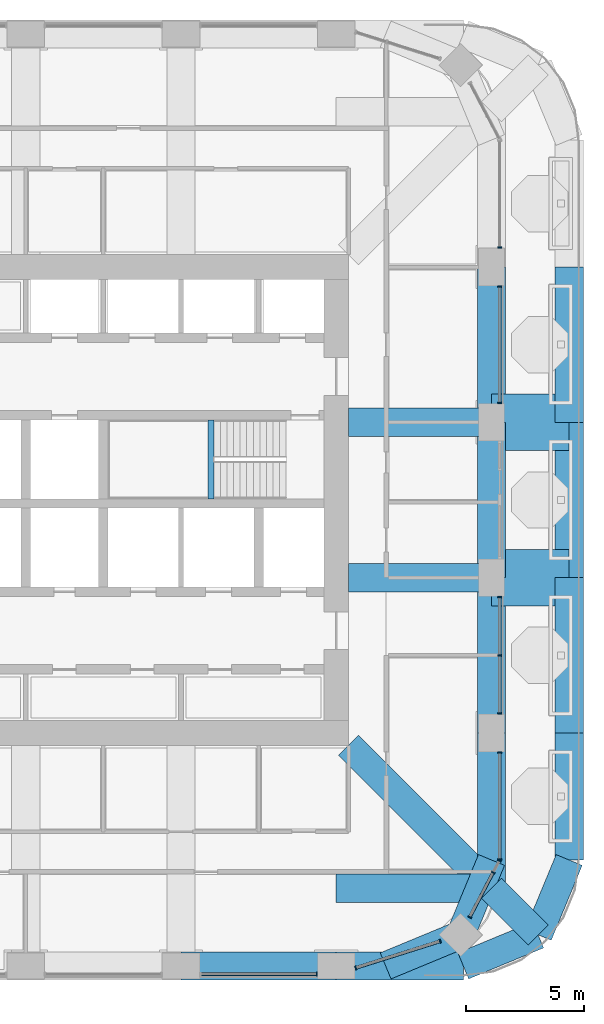
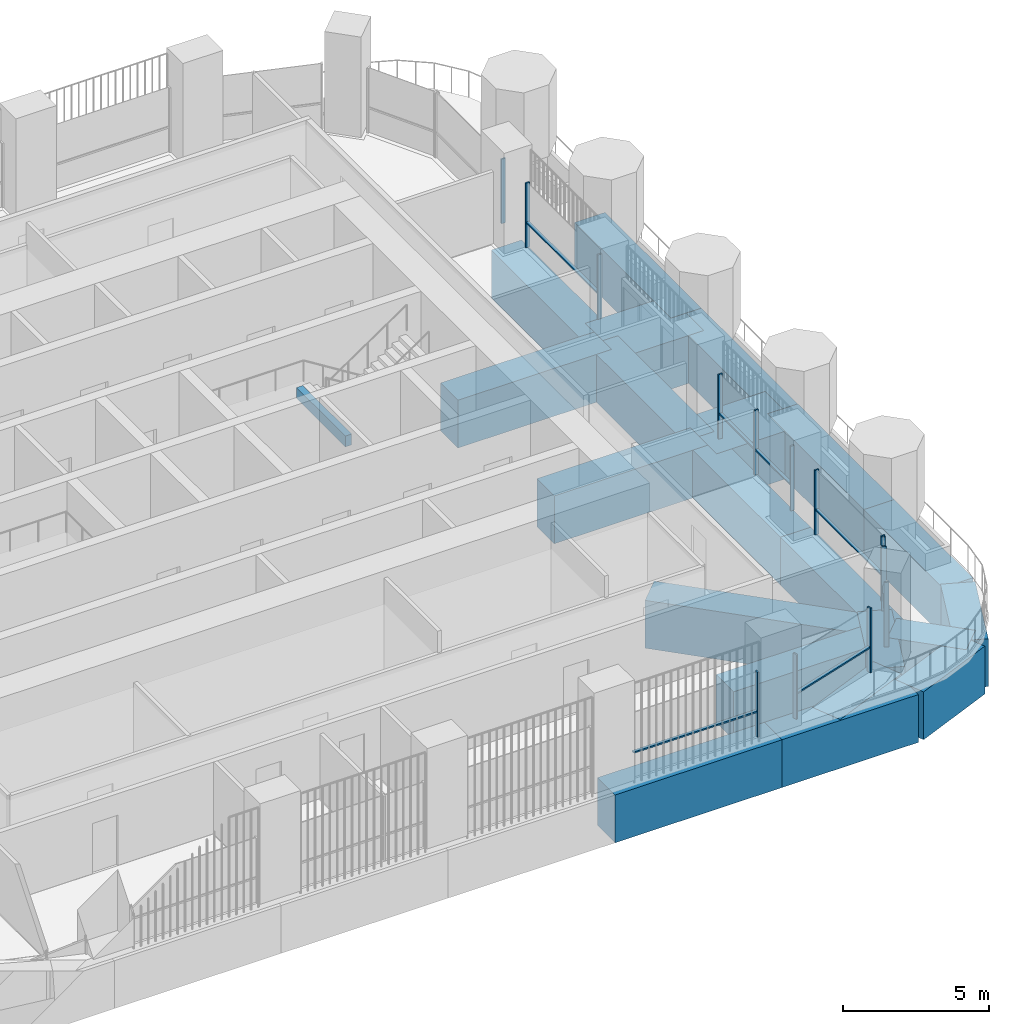
# One storey, part 5 of 24: 22 beams, 21 members, 7 elements without a shape of their own.
"""IFC4 building model written with IfcOpenShell, lengths in metres."""

from ifc_helpers import new_model, si_unit, direction, frame, origin, origin_2d, place, context, subcontext, project, spatial, rectangle, extrude, material, material_profile, profile_set, type_object, element, aggregate, save


model = new_model("IFC4")

# Units and contexts
model_context = context("Model", 3, precision=1e-05, world=origin(), true_north=direction((0.0, 1.0)))
body_context = subcontext(model_context, "Body", "Model", "MODEL_VIEW")
ifc_project = project(units=[si_unit("LENGTHUNIT", "METRE"), si_unit("AREAUNIT", "SQUARE_METRE"), si_unit("VOLUMEUNIT", "CUBIC_METRE"), si_unit("PLANEANGLEUNIT", "RADIAN"), si_unit("MASSUNIT", "GRAM", prefix="KILO")], contexts=[model_context])

# Site, building, storey
site_placement = place(None, origin())
site = spatial("IfcSite", under=ifc_project, at=site_placement, CompositionType="ELEMENT")
building_placement = place(site_placement, origin())
building = spatial("IfcBuilding", under=site, at=building_placement, Name="Cobogo Forest Laboratory Tower", CompositionType="ELEMENT")
storey_placement = place(building_placement, frame((0.0, 0.0, 229.199951171875)))
storey = spatial("IfcBuildingStorey", under=building, at=storey_placement, Name="L52", CompositionType="ELEMENT", Elevation=229.199951171875)

# Beam
ifc_material_1 = material(Name="Concrete HA-40 (C40/50)", Category="concrete")
ifc_material_profile_1 = material_profile(ifc_material_1, rectangle(XDim=0.25, YDim=0.449951171875, at=origin_2d()), Name="RC 250x450")
ifc_profile_set_1 = profile_set([ifc_material_profile_1], Name="Concrete HA-40 (C40/50)")
beam_type_1 = type_object("IfcBeamType", Name="LB1 landing beam 250x450", PredefinedType="BEAM", material=ifc_profile_set_1)
beam_1_placement = place(storey_placement, frame((34.27001953125, 23.14990234375, 1.675048828125), z_axis=(0.0, 1.0, 0.0), x_axis=(-1.0, 0.0, 0.0)))
element("IfcBeam", 1, at=beam_1_placement, inside=storey, type_object=beam_type_1, Name="Landing beam ST2 L52", PredefinedType="BEAM", context=body_context, shape_type="SweptSolid", body=[
    extrude(rectangle(XDim=0.25, YDim=0.449951171875, at=origin_2d()), origin(), (0.0, 0.0, 1.0), 3.35009765625),
])

# Curtain wall, member
ifc_material_2 = material(Name="Aluminium curtain wall", Category="aluminium")
curtain_wall_type = type_object("IfcCurtainWallType", Name="CW-2 unitised curtain wall, solar control glazing, laboratory floors zones C and D", PredefinedType="USERDEFINED", material=ifc_material_2)
curtain_wall_1_placement = place(storey_placement, origin())
curtain_wall_1 = element("IfcCurtainWall", 2, at=curtain_wall_1_placement, inside=storey, type_object=curtain_wall_type, Name="Curtain wall 04 L52", ObjectType="UNITISED CURTAIN WALL", PredefinedType="USERDEFINED")
ifc_material_3 = material(Name="Aluminium mullion", Category="aluminium")
ifc_material_profile_2 = material_profile(ifc_material_3, rectangle(XDim=0.06005859375, YDim=0.159912109375, at=origin_2d()), Name="AL 60x160")
ifc_profile_set_2 = profile_set([ifc_material_profile_2], Name="Aluminium mullion")
member_type_1 = type_object("IfcMemberType", Name="MU-1 aluminium mullion 60x160", PredefinedType="MULLION", material=ifc_profile_set_2)
member_1_placement = place(storey_placement, frame((38.77001953125, 2.949951171875, 0.0), z_axis=(0.0, 0.0, 1.0), x_axis=(1.0, 0.0, 0.0)))
member_1 = element("IfcMember", 3, at=member_1_placement, type_object=member_type_1, Name="CW-2 mullion 2", PredefinedType="MULLION", context=body_context, shape_type="SweptSolid", body=[
    extrude(rectangle(XDim=0.06005859375, YDim=0.159912109375, at=origin_2d()), origin(), (0.0, 0.0, 1.0), 2.699951171875),
])

# Curtain wall, members
curtain_wall_2_placement = place(storey_placement, origin())
curtain_wall_2 = element("IfcCurtainWall", 4, at=curtain_wall_2_placement, inside=storey, type_object=curtain_wall_type, Name="Curtain wall 05 L52", ObjectType="UNITISED CURTAIN WALL", PredefinedType="USERDEFINED")
member_2_placement = place(storey_placement, frame((40.4287109375, 3.211669921875, 0.0), z_axis=(0.0, 0.0, 1.0), x_axis=(0.953581351952, 0.301135526315, 0.0)))
member_2 = element("IfcMember", 5, at=member_2_placement, type_object=member_type_1, Name="CW-2 mullion 1", PredefinedType="MULLION", context=body_context, shape_type="SweptSolid", body=[
    extrude(rectangle(XDim=0.06005859375, YDim=0.159912109375, at=origin_2d()), origin(), (0.0, 0.0, 1.0), 2.699951171875),
])
member_3_placement = place(storey_placement, frame((44.01513671875, 4.34423828125, 0.0), z_axis=(0.0, 0.0, 1.0), x_axis=(0.953581351952, 0.301135526315, 0.0)))
member_3 = element("IfcMember", 6, at=member_3_placement, type_object=member_type_1, Name="CW-2 mullion 2", PredefinedType="MULLION", context=body_context, shape_type="SweptSolid", body=[
    extrude(rectangle(XDim=0.06005859375, YDim=0.159912109375, at=origin_2d()), origin(), (0.0, 0.0, 1.0), 2.699951171875),
])

curtain_wall_3_placement = place(storey_placement, origin())
curtain_wall_3 = element("IfcCurtainWall", 7, at=curtain_wall_3_placement, inside=storey, type_object=curtain_wall_type, Name="Curtain wall 06 L52", ObjectType="UNITISED CURTAIN WALL", PredefinedType="USERDEFINED")
member_4_placement = place(storey_placement, frame((45.275390625, 5.368408203125, 0.0), z_axis=(0.0, 0.0, 1.0), x_axis=(0.464283685186, 0.885686547075, 0.0)))
member_4 = element("IfcMember", 8, at=member_4_placement, type_object=member_type_1, Name="CW-2 mullion 1", PredefinedType="MULLION", context=body_context, shape_type="SweptSolid", body=[
    extrude(rectangle(XDim=0.06005859375, YDim=0.159912109375, at=origin_2d()), origin(), (0.0, 0.0, 1.0), 2.699951171875),
])
member_5_placement = place(storey_placement, frame((46.268310546875, 7.262939453125, 0.0), z_axis=(0.0, 0.0, 1.0), x_axis=(0.464283685186, 0.885686547075, 0.0)))
member_5 = element("IfcMember", 9, at=member_5_placement, type_object=member_type_1, Name="CW-2 mullion 2", PredefinedType="MULLION", context=body_context, shape_type="SweptSolid", body=[
    extrude(rectangle(XDim=0.06005859375, YDim=0.159912109375, at=origin_2d()), origin(), (0.0, 0.0, 1.0), 2.699951171875),
])
member_6_placement = place(storey_placement, frame((46.5361328125, 7.7734375, 0.0), z_axis=(0.0, 0.0, 1.0), x_axis=(0.464283685186, 0.885686547075, 0.0)))
member_6 = element("IfcMember", 10, at=member_6_placement, type_object=member_type_1, Name="CW-2 mullion 3", PredefinedType="MULLION", context=body_context, shape_type="SweptSolid", body=[
    extrude(rectangle(XDim=0.06005859375, YDim=0.159912109375, at=origin_2d()), origin(), (0.0, 0.0, 1.0), 2.699951171875),
])

curtain_wall_4_placement = place(storey_placement, origin())
curtain_wall_4 = element("IfcCurtainWall", 11, at=curtain_wall_4_placement, inside=storey, type_object=curtain_wall_type, Name="Curtain wall 07 L52", ObjectType="UNITISED CURTAIN WALL", PredefinedType="USERDEFINED")
member_7_placement = place(storey_placement, frame((46.550048828125, 7.830078125, 0.0), z_axis=(0.0, 0.0, 1.0), x_axis=(0.0, 1.0, 0.0)))
member_7 = element("IfcMember", 12, at=member_7_placement, type_object=member_type_1, Name="CW-2 mullion 1", PredefinedType="MULLION", context=body_context, shape_type="SweptSolid", body=[
    extrude(rectangle(XDim=0.06005859375, YDim=0.159912109375, at=origin_2d()), origin(), (0.0, 0.0, 1.0), 2.699951171875),
])
member_8_placement = place(storey_placement, frame((46.550048828125, 12.3701171875, 0.0), z_axis=(0.0, 0.0, 1.0), x_axis=(0.0, 1.0, 0.0)))
member_8 = element("IfcMember", 13, at=member_8_placement, type_object=member_type_1, Name="CW-2 mullion 2", PredefinedType="MULLION", context=body_context, shape_type="SweptSolid", body=[
    extrude(rectangle(XDim=0.06005859375, YDim=0.159912109375, at=origin_2d()), origin(), (0.0, 0.0, 1.0), 2.699951171875),
])

curtain_wall_5_placement = place(storey_placement, origin())
curtain_wall_5 = element("IfcCurtainWall", 14, at=curtain_wall_5_placement, inside=storey, type_object=curtain_wall_type, Name="Curtain wall 08 L52", ObjectType="UNITISED CURTAIN WALL", PredefinedType="USERDEFINED")
member_9_placement = place(storey_placement, frame((46.550048828125, 14.030029296875, 0.0), z_axis=(0.0, 0.0, 1.0), x_axis=(0.0, 1.0, 0.0)))
member_9 = element("IfcMember", 15, at=member_9_placement, type_object=member_type_1, Name="CW-2 mullion 1", PredefinedType="MULLION", context=body_context, shape_type="SweptSolid", body=[
    extrude(rectangle(XDim=0.06005859375, YDim=0.159912109375, at=origin_2d()), origin(), (0.0, 0.0, 1.0), 2.699951171875),
])
member_10_placement = place(storey_placement, frame((46.550048828125, 16.5, 0.0), z_axis=(0.0, 0.0, 1.0), x_axis=(0.0, 1.0, 0.0)))
member_10 = element("IfcMember", 16, at=member_10_placement, type_object=member_type_1, Name="CW-2 mullion 2", PredefinedType="MULLION", context=body_context, shape_type="SweptSolid", body=[
    extrude(rectangle(XDim=0.06005859375, YDim=0.159912109375, at=origin_2d()), origin(), (0.0, 0.0, 1.0), 2.699951171875),
])
member_11_placement = place(storey_placement, frame((46.550048828125, 18.969970703125, 0.0), z_axis=(0.0, 0.0, 1.0), x_axis=(0.0, 1.0, 0.0)))
member_11 = element("IfcMember", 17, at=member_11_placement, type_object=member_type_1, Name="CW-2 mullion 3", PredefinedType="MULLION", context=body_context, shape_type="SweptSolid", body=[
    extrude(rectangle(XDim=0.06005859375, YDim=0.159912109375, at=origin_2d()), origin(), (0.0, 0.0, 1.0), 2.699951171875),
])

curtain_wall_6_placement = place(storey_placement, origin())
curtain_wall_6 = element("IfcCurtainWall", 18, at=curtain_wall_6_placement, inside=storey, type_object=curtain_wall_type, Name="Curtain wall 10 L52", ObjectType="UNITISED CURTAIN WALL", PredefinedType="USERDEFINED")
member_12_placement = place(storey_placement, frame((46.550048828125, 27.22998046875, 0.0), z_axis=(0.0, 0.0, 1.0), x_axis=(0.0, 1.0, 0.0)))
member_12 = element("IfcMember", 19, at=member_12_placement, type_object=member_type_1, Name="CW-2 mullion 1", PredefinedType="MULLION", context=body_context, shape_type="SweptSolid", body=[
    extrude(rectangle(XDim=0.06005859375, YDim=0.159912109375, at=origin_2d()), origin(), (0.0, 0.0, 1.0), 2.699951171875),
])
member_13_placement = place(storey_placement, frame((46.550048828125, 32.169921875, 0.0), z_axis=(0.0, 0.0, 1.0), x_axis=(0.0, 1.0, 0.0)))
member_13 = element("IfcMember", 20, at=member_13_placement, type_object=member_type_1, Name="CW-2 mullion 2", PredefinedType="MULLION", context=body_context, shape_type="SweptSolid", body=[
    extrude(rectangle(XDim=0.06005859375, YDim=0.159912109375, at=origin_2d()), origin(), (0.0, 0.0, 1.0), 2.699951171875),
])

# Curtain wall, member
curtain_wall_7_placement = place(storey_placement, origin())
curtain_wall_7 = element("IfcCurtainWall", 21, at=curtain_wall_7_placement, inside=storey, type_object=curtain_wall_type, Name="Curtain wall 11 L52", ObjectType="UNITISED CURTAIN WALL", PredefinedType="USERDEFINED")
member_14_placement = place(storey_placement, frame((46.550048828125, 33.830078125, 0.0), z_axis=(0.0, 0.0, 1.0), x_axis=(0.0, 1.0, 0.0)))
member_14 = element("IfcMember", 22, at=member_14_placement, type_object=member_type_1, Name="CW-2 mullion 1", PredefinedType="MULLION", context=body_context, shape_type="SweptSolid", body=[
    extrude(rectangle(XDim=0.06005859375, YDim=0.159912109375, at=origin_2d()), origin(), (0.0, 0.0, 1.0), 2.699951171875),
])
aggregate(curtain_wall_7, [member_14])

# Beams
ifc_material_4 = material(Name="Concrete HA-50 (C50/60)", Category="concrete")
ifc_material_profile_3 = material_profile(ifc_material_4, rectangle(XDim=2.39990234375, YDim=2.0, at=origin_2d()), Name="RC 2400x2000")
ifc_profile_set_3 = profile_set([ifc_material_profile_3], Name="Concrete HA-50 (C50/60)")
beam_type_2 = type_object("IfcBeamType", Name="Setback floor end-bay girder 2400x2000", PredefinedType="BEAM", material=ifc_profile_set_3)
for number, where, z_axis, x_axis, name in (
    (23, (49.5, 19.800048828125, -1.300048828125), (-1.0, 0.0, 0.0), (0.0, -1.0, 0.0), "TG3 R-D-E-X L52"),
    (24, (49.5, 26.39990234375, -1.300048828125), (-1.0, 0.0, 0.0), (0.0, -1.0, 0.0), "TG3 R-E-E-X L52"),
):
    element("IfcBeam", number, at=place(storey_placement, frame(where, z_axis=z_axis, x_axis=x_axis)), inside=storey, type_object=beam_type_2, Name=name, PredefinedType="BEAM", context=body_context, shape_type="SweptSolid", body=[
        extrude(rectangle(XDim=2.39990234375, YDim=2.0, at=origin_2d()), origin(), (0.0, 0.0, 1.0), 3.300048828125),
    ])
ifc_material_profile_4 = material_profile(ifc_material_1, rectangle(XDim=1.199951171875, YDim=2.0, at=origin_2d()), Name="RC 1200x2000")
ifc_profile_set_4 = profile_set([ifc_material_profile_4], Name="Concrete HA-40 (C40/50)")
beam_type_3 = type_object("IfcBeamType", Name="Setback floor girder 1200x2000", PredefinedType="BEAM", material=ifc_profile_set_4)
for number, where, z_axis, x_axis, name in (
    (25, (40.125, 19.800048828125, -1.300048828125), (1.0, 0.0, 0.0), (0.0, 1.0, 0.0), "TG2 R-D-E L52"),
    (26, (40.125, 26.39990234375, -1.300048828125), (1.0, 0.0, 0.0), (0.0, 1.0, 0.0), "TG2 R-E-E L52"),
):
    element("IfcBeam", number, at=place(storey_placement, frame(where, z_axis=z_axis, x_axis=x_axis)), inside=storey, type_object=beam_type_3, Name=name, PredefinedType="BEAM", context=body_context, shape_type="SweptSolid", body=[
        extrude(rectangle(XDim=1.199951171875, YDim=2.0, at=origin_2d()), origin(), (0.0, 0.0, 1.0), 6.074951171875),
    ])
for number, where, z_axis, x_axis, name in (
    (27, (46.199951171875, 6.60009765625, -1.300048828125), (0.0, 1.0, 0.0), (-1.0, 0.0, 0.0), "TG2 G-SE-XC L52"),
    (28, (46.199951171875, 6.60009765625, -1.300048828125), (-1.0, 0.0, 0.0), (0.0, -1.0, 0.0), "TG2 G-SE-YC L52"),
):
    element("IfcBeam", number, at=place(storey_placement, frame(where, z_axis=z_axis, x_axis=x_axis)), inside=storey, type_object=beam_type_3, Name=name, PredefinedType="BEAM", context=body_context, shape_type="SweptSolid", body=[
        extrude(rectangle(XDim=1.199951171875, YDim=2.0, at=origin_2d()), origin(), (0.0, 0.0, 1.0), 6.599853515625),
    ])
beam_2_placement = place(storey_placement, frame((48.181884765625, 4.617919921875, -1.300048828125), z_axis=(-0.707063230743, 0.707150328948, 0.0), x_axis=(-0.707150328948, -0.707063230743, 0.0)))
element("IfcBeam", 29, at=beam_2_placement, inside=storey, type_object=beam_type_3, Name="TG2 G-SE-D1 L52", PredefinedType="BEAM", context=body_context, shape_type="SweptSolid", body=[
    extrude(rectangle(XDim=1.199951171875, YDim=2.0, at=origin_2d()), origin(), (0.0, 0.0, 1.0), 2.802978515625),
])
beam_3_placement = place(storey_placement, frame((46.199951171875, 6.60009765625, -1.300048828125), z_axis=(-0.707106781187, 0.707106781187, 0.0), x_axis=(-0.707106781187, -0.707106781187, 0.0)))
element("IfcBeam", 30, at=beam_3_placement, inside=storey, type_object=beam_type_3, Name="TG2 G-SE-D2 L52", PredefinedType="BEAM", context=body_context, shape_type="SweptSolid", body=[
    extrude(rectangle(XDim=1.199951171875, YDim=2.0, at=origin_2d()), origin(), (0.0, 0.0, 1.0), 8.59130859375),
])
for number, where, z_axis, x_axis, name in (
    (31, (33.0, 3.300048828125, -1.300048828125), (1.0, 0.0, 0.0), (0.0, 1.0, 0.0), "TG2 E-S4 L52"),
    (32, (49.5, 13.199951171875, -1.300048828125), (0.0, 1.0, 0.0), (-1.0, 0.0, 0.0), "TG2 E-E1 L52"),
):
    element("IfcBeam", number, at=place(storey_placement, frame(where, z_axis=z_axis, x_axis=x_axis)), inside=storey, type_object=beam_type_3, Name=name, PredefinedType="BEAM", context=body_context, shape_type="SweptSolid", body=[
        extrude(rectangle(XDim=1.199951171875, YDim=2.0, at=origin_2d()), origin(), (0.0, 0.0, 1.0), 6.60009765625),
    ])
beam_4_placement = place(storey_placement, frame((49.5, 19.800048828125, -1.300048828125), z_axis=(0.0, 1.0, 0.0), x_axis=(-1.0, 0.0, 0.0)))
element("IfcBeam", 33, at=beam_4_placement, inside=storey, type_object=beam_type_3, Name="TG2 E-E2 L52", PredefinedType="BEAM", context=body_context, shape_type="SweptSolid", body=[
    extrude(rectangle(XDim=1.199951171875, YDim=2.0, at=origin_2d()), origin(), (0.0, 0.0, 1.0), 6.599853515625),
])
beam_5_placement = place(storey_placement, frame((49.5, 26.39990234375, -1.300048828125), z_axis=(0.0, 1.0, 0.0), x_axis=(-1.0, 0.0, 0.0)))
element("IfcBeam", 34, at=beam_5_placement, inside=storey, type_object=beam_type_3, Name="TG2 E-E3 L52", PredefinedType="BEAM", context=body_context, shape_type="SweptSolid", body=[
    extrude(rectangle(XDim=1.199951171875, YDim=2.0, at=origin_2d()), origin(), (0.0, 0.0, 1.0), 6.60009765625),
])
beam_6_placement = place(storey_placement, frame((39.60009765625, 3.300048828125, -1.300048828125), z_axis=(1.0, 0.0, 0.0), x_axis=(0.0, 1.0, 0.0)))
element("IfcBeam", 35, at=beam_6_placement, inside=storey, type_object=beam_type_3, Name="TG2 E-SES1 L52", PredefinedType="BEAM", context=body_context, shape_type="SweptSolid", body=[
    extrude(rectangle(XDim=1.199951171875, YDim=2.0, at=origin_2d()), origin(), (0.0, 0.0, 1.0), 5.39990234375),
])
beam_7_placement = place(storey_placement, frame((45.0, 3.300048828125, -1.300048828125), z_axis=(0.923890694089, 0.382656484822, 0.0), x_axis=(-0.382656484822, 0.923890694089, 0.0)))
element("IfcBeam", 36, at=beam_7_placement, inside=storey, type_object=beam_type_3, Name="TG2 E-SES2 L52", PredefinedType="BEAM", context=body_context, shape_type="SweptSolid", body=[
    extrude(rectangle(XDim=1.199951171875, YDim=2.0, at=origin_2d()), origin(), (0.0, 0.0, 1.0), 3.444091796875),
])
beam_8_placement = place(storey_placement, frame((49.5, 13.199951171875, -1.300048828125), z_axis=(0.0, -1.0, 0.0), x_axis=(1.0, 0.0, 0.0)))
element("IfcBeam", 37, at=beam_8_placement, inside=storey, type_object=beam_type_3, Name="TG2 E-SEE1 L52", PredefinedType="BEAM", context=body_context, shape_type="SweptSolid", body=[
    extrude(rectangle(XDim=1.199951171875, YDim=2.0, at=origin_2d()), origin(), (0.0, 0.0, 1.0), 5.39990234375),
])
beam_9_placement = place(storey_placement, frame((49.5, 7.800048828125, -1.300048828125), z_axis=(-0.382691928466, -0.923876013265, 0.0), x_axis=(0.923876013265, -0.382691928466, 0.0)))
element("IfcBeam", 38, at=beam_9_placement, inside=storey, type_object=beam_type_3, Name="TG2 E-SEE2 L52", PredefinedType="BEAM", context=body_context, shape_type="SweptSolid", body=[
    extrude(rectangle(XDim=1.199951171875, YDim=2.0, at=origin_2d()), origin(), (0.0, 0.0, 1.0), 3.4443359375),
])
beam_10_placement = place(storey_placement, frame((46.199951171875, 13.199951171875, -1.300048828125), z_axis=(0.0, 1.0, 0.0), x_axis=(-1.0, 0.0, 0.0)))
element("IfcBeam", 39, at=beam_10_placement, inside=storey, type_object=beam_type_3, Name="TG2 UE-E1 L52", PredefinedType="BEAM", context=body_context, shape_type="SweptSolid", body=[
    extrude(rectangle(XDim=1.199951171875, YDim=2.0, at=origin_2d()), origin(), (0.0, 0.0, 1.0), 6.60009765625),
])
beam_11_placement = place(storey_placement, frame((46.199951171875, 19.800048828125, -1.300048828125), z_axis=(0.0, 1.0, 0.0), x_axis=(-1.0, 0.0, 0.0)))
element("IfcBeam", 40, at=beam_11_placement, inside=storey, type_object=beam_type_3, Name="TG2 UE-E2 L52", PredefinedType="BEAM", context=body_context, shape_type="SweptSolid", body=[
    extrude(rectangle(XDim=1.199951171875, YDim=2.0, at=origin_2d()), origin(), (0.0, 0.0, 1.0), 6.599853515625),
])
beam_12_placement = place(storey_placement, frame((46.199951171875, 26.39990234375, -1.300048828125), z_axis=(0.0, 1.0, 0.0), x_axis=(-1.0, 0.0, 0.0)))
element("IfcBeam", 41, at=beam_12_placement, inside=storey, type_object=beam_type_3, Name="TG2 UE-E3 L52", PredefinedType="BEAM", context=body_context, shape_type="SweptSolid", body=[
    extrude(rectangle(XDim=1.199951171875, YDim=2.0, at=origin_2d()), origin(), (0.0, 0.0, 1.0), 6.60009765625),
])
for number, where, z_axis, x_axis, name in (
    (42, (41.699951171875, 3.300048828125, -1.300048828125), (0.923901072997, 0.382631424892, 0.0), (-0.382631424892, 0.923901072997, 0.0), "TG2 UE-SES2 L52"),
    (43, (46.199951171875, 7.800048828125, -1.300048828125), (-0.382631424892, -0.923901072997, 0.0), (0.923901072997, -0.382631424892, 0.0), "TG2 UE-SEE2 L52"),
):
    element("IfcBeam", number, at=place(storey_placement, frame(where, z_axis=z_axis, x_axis=x_axis)), inside=storey, type_object=beam_type_3, Name=name, PredefinedType="BEAM", context=body_context, shape_type="SweptSolid", body=[
        extrude(rectangle(XDim=1.199951171875, YDim=2.0, at=origin_2d()), origin(), (0.0, 0.0, 1.0), 3.4443359375),
    ])

# Member
ifc_material_5 = material(Name="Aluminium transom", Category="aluminium")
ifc_material_profile_5 = material_profile(ifc_material_5, rectangle(XDim=0.1201171875, YDim=0.06005859375, at=origin_2d()), Name="AL 60x120")
ifc_profile_set_5 = profile_set([ifc_material_profile_5], Name="Aluminium transom")
member_type_2 = type_object("IfcMemberType", Name="TR-1 aluminium transom 60x120", PredefinedType="USERDEFINED", material=ifc_profile_set_5)
member_15_placement = place(storey_placement, frame((33.860107421875, 2.949951171875, 1.050048828125), z_axis=(1.0, 0.0, 0.0), x_axis=(0.0, 1.0, 0.0)))
member_15 = element("IfcMember", 44, at=member_15_placement, type_object=member_type_2, Name="CW-2 transom 1.1", ObjectType="TRANSOM", PredefinedType="USERDEFINED", context=body_context, shape_type="SweptSolid", body=[
    extrude(rectangle(XDim=0.1201171875, YDim=0.06005859375, at=origin_2d()), origin(), (0.0, 0.0, 1.0), 4.8798828125),
])

aggregate(curtain_wall_1, [member_1, member_15])

member_16_placement = place(storey_placement, frame((40.457275390625, 3.220703125, 1.050048828125), z_axis=(0.953577679963, 0.301147153859, 0.0), x_axis=(-0.301147153859, 0.953577679963, 0.0)))
member_16 = element("IfcMember", 45, at=member_16_placement, type_object=member_type_2, Name="CW-2 transom 1.1", ObjectType="TRANSOM", PredefinedType="USERDEFINED", context=body_context, shape_type="SweptSolid", body=[
    extrude(rectangle(XDim=0.1201171875, YDim=0.06005859375, at=origin_2d()), origin(), (0.0, 0.0, 1.0), 3.700927734375),
])

aggregate(curtain_wall_2, [member_2, member_3, member_16])

member_17_placement = place(storey_placement, frame((45.289306640625, 5.394775390625, 1.050048828125), z_axis=(0.464182496796, 0.885739583438, 0.0), x_axis=(-0.885739583438, 0.464182496796, 0.0)))
member_17 = element("IfcMember", 46, at=member_17_placement, type_object=member_type_2, Name="CW-2 transom 1.1", ObjectType="TRANSOM", PredefinedType="USERDEFINED", context=body_context, shape_type="SweptSolid", body=[
    extrude(rectangle(XDim=0.1201171875, YDim=0.06005859375, at=origin_2d()), origin(), (0.0, 0.0, 1.0), 2.0791015625),
])

aggregate(curtain_wall_3, [member_4, member_5, member_6, member_17])

member_18_placement = place(storey_placement, frame((46.550048828125, 7.860107421875, 1.050048828125), z_axis=(0.0, 1.0, 0.0), x_axis=(-1.0, 0.0, 0.0)))
member_18 = element("IfcMember", 47, at=member_18_placement, type_object=member_type_2, Name="CW-2 transom 1.1", ObjectType="TRANSOM", PredefinedType="USERDEFINED", context=body_context, shape_type="SweptSolid", body=[
    extrude(rectangle(XDim=0.1201171875, YDim=0.06005859375, at=origin_2d()), origin(), (0.0, 0.0, 1.0), 4.47998046875),
])

aggregate(curtain_wall_4, [member_7, member_8, member_18])

member_19_placement = place(storey_placement, frame((46.550048828125, 14.06005859375, 1.050048828125), z_axis=(0.0, 1.0, 0.0), x_axis=(-1.0, 0.0, 0.0)))
member_19 = element("IfcMember", 48, at=member_19_placement, type_object=member_type_2, Name="CW-2 transom 1.1", ObjectType="TRANSOM", PredefinedType="USERDEFINED", context=body_context, shape_type="SweptSolid", body=[
    extrude(rectangle(XDim=0.1201171875, YDim=0.06005859375, at=origin_2d()), origin(), (0.0, 0.0, 1.0), 2.409912109375),
])

member_20_placement = place(storey_placement, frame((46.550048828125, 16.530029296875, 1.050048828125), z_axis=(0.0, 1.0, 0.0), x_axis=(-1.0, 0.0, 0.0)))
member_20 = element("IfcMember", 49, at=member_20_placement, type_object=member_type_2, Name="CW-2 transom 2.1", ObjectType="TRANSOM", PredefinedType="USERDEFINED", context=body_context, shape_type="SweptSolid", body=[
    extrude(rectangle(XDim=0.1201171875, YDim=0.06005859375, at=origin_2d()), origin(), (0.0, 0.0, 1.0), 2.409912109375),
])

aggregate(curtain_wall_5, [member_9, member_10, member_11, member_19, member_20])

member_21_placement = place(storey_placement, frame((46.550048828125, 27.260009765625, 1.050048828125), z_axis=(0.0, 1.0, 0.0), x_axis=(-1.0, 0.0, 0.0)))
member_21 = element("IfcMember", 50, at=member_21_placement, type_object=member_type_2, Name="CW-2 transom 1.1", ObjectType="TRANSOM", PredefinedType="USERDEFINED", context=body_context, shape_type="SweptSolid", body=[
    extrude(rectangle(XDim=0.1201171875, YDim=0.06005859375, at=origin_2d()), origin(), (0.0, 0.0, 1.0), 4.8798828125),
])

aggregate(curtain_wall_6, [member_12, member_13, member_21])

save(model, "model.ifc")
